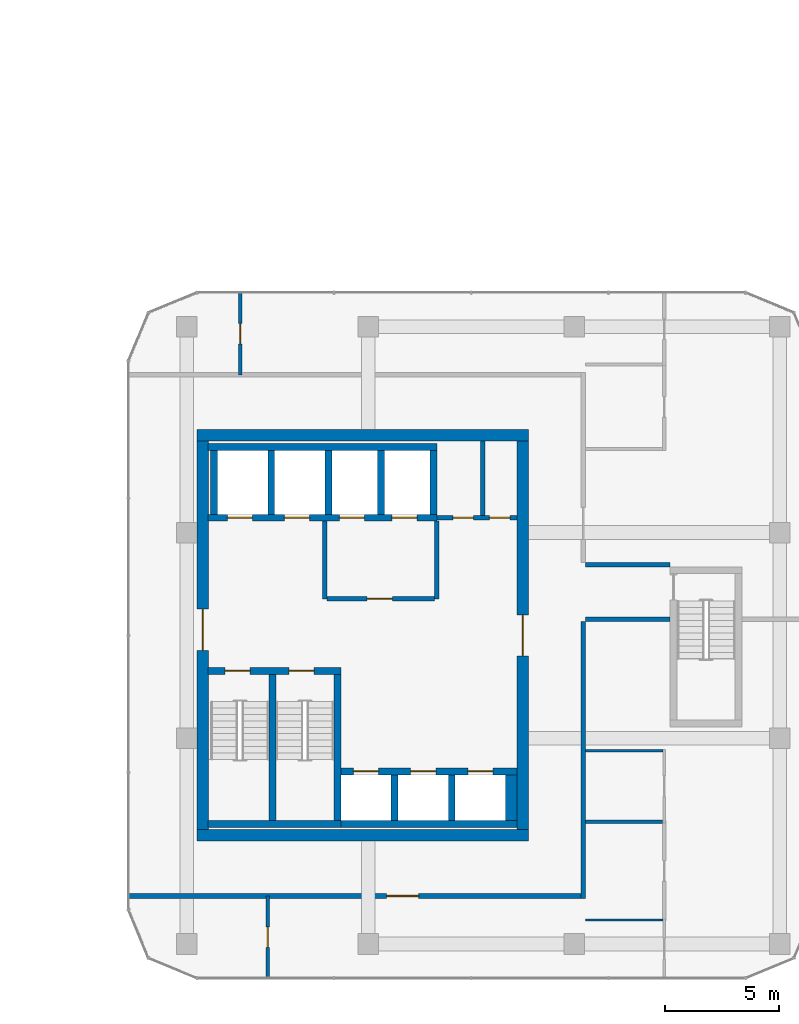
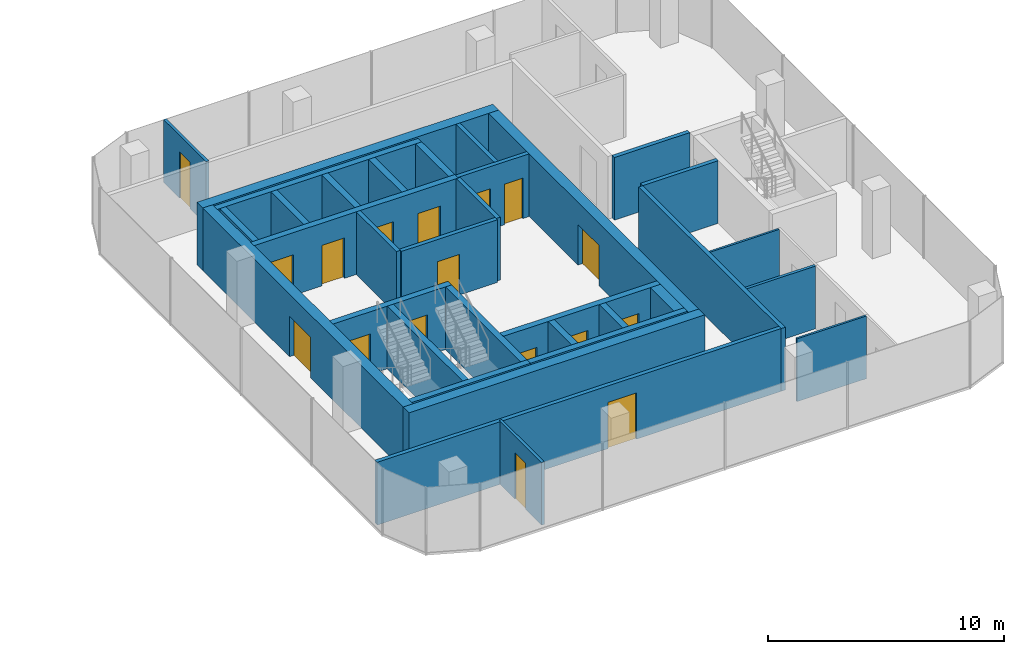
# One storey, part 17 of 22: 34 walls, 17 doors, 17 openings.
"""IFC4 building model written with IfcOpenShell, lengths in metres."""

from ifc_helpers import new_model, si_unit, direction, frame, frame_2d, origin, place, context, subcontext, project, spatial, rectangle, extrude, material, layer, layer_set, type_object, element, fill, save


model = new_model("IFC4")

# Units and contexts
model_context = context("Model", 3, precision=1e-05, world=origin(), true_north=direction((0.0, 1.0)))
body_context = subcontext(model_context, "Body", "Model", "MODEL_VIEW")
ifc_project = project(units=[si_unit("LENGTHUNIT", "METRE"), si_unit("AREAUNIT", "SQUARE_METRE"), si_unit("VOLUMEUNIT", "CUBIC_METRE"), si_unit("PLANEANGLEUNIT", "RADIAN"), si_unit("MASSUNIT", "GRAM", prefix="KILO")], contexts=[model_context])

# Site, building, storey
site_placement = place(None, origin())
site = spatial("IfcSite", under=ifc_project, at=site_placement, CompositionType="ELEMENT")
building_placement = place(site_placement, origin())
building = spatial("IfcBuilding", under=site, at=building_placement, Name="Plateau Cross Towers", CompositionType="ELEMENT")
storey_placement = place(building_placement, frame((0.0, 0.0, 58.300048828125)))
storey = spatial("IfcBuildingStorey", under=building, at=storey_placement, Name="L14", CompositionType="ELEMENT", Elevation=58.300048828125)

# Wall
ifc_material_1 = material(Name="Concrete block, plastered both sides", Category="concrete")
ifc_layer_1 = layer(ifc_material_1, 0.199951171875)
ifc_layer_set_1 = layer_set([ifc_layer_1], Name="Concrete block, plastered both sides")
wall_type_1 = type_object("IfcWallType", Name="Core partition 200", PredefinedType="PARTITIONING", material=ifc_layer_set_1)
wall_1_placement = place(storey_placement, frame((80.60009765625, 10.60009765625, 0.0), z_axis=(0.0, 0.0, 1.0), x_axis=(0.0, 1.0, 0.0)))
element("IfcWall", 1, at=wall_1_placement, inside=storey, type_object=wall_type_1, Name="Core partition", PredefinedType="PARTITIONING", context=body_context, shape_type="SweptSolid", body=[
    extrude(rectangle(XDim=3.39990234375, YDim=0.199951171875, at=frame_2d((1.699951171875, 0.0))), origin(), (0.0, 0.0, 1.0), 3.25),
])

# Wall, opening, door
wall_2_placement = place(storey_placement, frame((80.699951171875, 10.60009765625, 0.0), z_axis=(0.0, 0.0, 1.0), x_axis=(1.0, 0.0, 0.0)))
wall_2 = element("IfcWall", 2, at=wall_2_placement, inside=storey, type_object=wall_type_1, Name="Core partition", PredefinedType="PARTITIONING", context=body_context, shape_type="SweptSolid", body=[
    extrude(rectangle(XDim=4.699951171875, YDim=0.199951171875, at=frame_2d((2.35009765625, 0.0))), origin(), (0.0, 0.0, 1.0), 3.25),
])
opening_1_placement = place(wall_2_placement, frame((1.75, 0.0, 0.0)))
opening_1 = element("IfcOpeningElement", 3, at=opening_1_placement, cuts=wall_2, Name="Opening FFD", PredefinedType="OPENING", context=body_context, shape_type="SweptSolid", body=[
    extrude(rectangle(XDim=1.10009765625, YDim=2.10009765625, at=frame_2d((0.550048828125, 1.050048828125))), frame((0.0, 0.10986328125, 0.0), z_axis=(0.0, -1.0, 0.0), x_axis=(1.0, 0.0, 0.0)), (0.0, 0.0, 1.0), 0.219970703125),
])
ifc_material_2 = material(Name="Steel, fire-resisting leaf", Category="steel")
door_type_1 = type_object("IfcDoorType", Name="Firefighting lobby door 1100", OperationType="NOTDEFINED", PredefinedType="DOOR", material=ifc_material_2)
door_1_placement = place(opening_1_placement, origin())
door_1 = element("IfcDoor", 4, at=door_1_placement, inside=storey, type_object=door_type_1, Name="Firefighting lobby door FFD", OperationType="SINGLE_SWING_LEFT", OverallHeight=2.10009765625, OverallWidth=1.10009765625, PredefinedType="DOOR", context=body_context, shape_type="SweptSolid", body=[
    extrude(rectangle(XDim=1.10009765625, YDim=2.10009765625, at=frame_2d((0.550048828125, 1.050048828125))), frame((0.0, 0.02490234375, 0.0), z_axis=(0.0, -1.0, 0.0), x_axis=(1.0, 0.0, 0.0)), (0.0, 0.0, 1.0), 0.050048828125),
])
fill(opening_1, door_1)

# Wall
wall_3_placement = place(storey_placement, frame((85.5, 10.60009765625, 0.0), z_axis=(0.0, 0.0, 1.0), x_axis=(0.0, 1.0, 0.0)))
element("IfcWall", 5, at=wall_3_placement, inside=storey, type_object=wall_type_1, Name="Core partition", PredefinedType="PARTITIONING", context=body_context, shape_type="SweptSolid", body=[
    extrude(rectangle(XDim=3.39990234375, YDim=0.199951171875, at=frame_2d((1.699951171875, 0.0))), origin(), (0.0, 0.0, 1.0), 3.25),
])

# Wall, openings, doors
wall_4_placement = place(storey_placement, frame((85.5, 14.14990234375, 0.0), z_axis=(0.0, 0.0, 1.0), x_axis=(1.0, 0.0, 0.0)))
wall_4 = element("IfcWall", 6, at=wall_4_placement, inside=storey, type_object=wall_type_1, Name="Core partition", PredefinedType="PARTITIONING", context=body_context, shape_type="SweptSolid", body=[
    extrude(rectangle(XDim=3.5, YDim=0.199951171875, at=frame_2d((1.75, 0.0))), origin(), (0.0, 0.0, 1.0), 3.25),
])
opening_2_placement = place(wall_4_placement, frame((0.699951171875, 0.0, 0.0)))
opening_2 = element("IfcOpeningElement", 7, at=opening_2_placement, cuts=wall_4, Name="Opening RD2", PredefinedType="OPENING", context=body_context, shape_type="SweptSolid", body=[
    extrude(rectangle(XDim=0.89990234375, YDim=2.10009765625, at=frame_2d((0.449951171875, 1.050048828125))), frame((0.0, 0.10986328125, 0.0), z_axis=(0.0, -1.0, 0.0), x_axis=(1.0, 0.0, 0.0)), (0.0, 0.0, 1.0), 0.219970703125),
])
opening_3_placement = place(wall_4_placement, frame((2.300048828125, 0.0, 0.0)))
opening_3 = element("IfcOpeningElement", 8, at=opening_3_placement, cuts=wall_4, Name="Opening RD2", PredefinedType="OPENING", context=body_context, shape_type="SweptSolid", body=[
    extrude(rectangle(XDim=0.89990234375, YDim=2.10009765625, at=frame_2d((0.449951171875, 1.050048828125))), frame((0.0, 0.10986328125, 0.0), z_axis=(0.0, -1.0, 0.0), x_axis=(1.0, 0.0, 0.0)), (0.0, 0.0, 1.0), 0.219970703125),
])
door_type_2 = type_object("IfcDoorType", Name="Core riser door 900", OperationType="NOTDEFINED", PredefinedType="DOOR", material=ifc_material_2)
door_2_placement = place(opening_2_placement, origin())
door_2 = element("IfcDoor", 9, at=door_2_placement, inside=storey, type_object=door_type_2, Name="Core riser door RD2", OperationType="SINGLE_SWING_LEFT", OverallHeight=2.10009765625, OverallWidth=0.89990234375, PredefinedType="DOOR", context=body_context, shape_type="SweptSolid", body=[
    extrude(rectangle(XDim=0.89990234375, YDim=2.10009765625, at=frame_2d((0.449951171875, 1.050048828125))), frame((0.0, 0.02490234375, 0.0), z_axis=(0.0, -1.0, 0.0), x_axis=(1.0, 0.0, 0.0)), (0.0, 0.0, 1.0), 0.050048828125),
])
fill(opening_2, door_2)
door_3_placement = place(opening_3_placement, origin())
door_3 = element("IfcDoor", 10, at=door_3_placement, inside=storey, type_object=door_type_2, Name="Core riser door RD2", OperationType="SINGLE_SWING_LEFT", OverallHeight=2.10009765625, OverallWidth=0.89990234375, PredefinedType="DOOR", context=body_context, shape_type="SweptSolid", body=[
    extrude(rectangle(XDim=0.89990234375, YDim=2.10009765625, at=frame_2d((0.449951171875, 1.050048828125))), frame((0.0, 0.02490234375, 0.0), z_axis=(0.0, -1.0, 0.0), x_axis=(1.0, 0.0, 0.0)), (0.0, 0.0, 1.0), 0.050048828125),
])
fill(opening_3, door_3)

# Walls
wall_5_placement = place(storey_placement, frame((87.5, 14.25, 0.0), z_axis=(0.0, 0.0, 1.0), x_axis=(0.0, 1.0, 0.0)))
element("IfcWall", 11, at=wall_5_placement, inside=storey, type_object=wall_type_1, Name="Core partition", PredefinedType="PARTITIONING", context=body_context, shape_type="SweptSolid", body=[
    extrude(rectangle(XDim=3.25, YDim=0.199951171875, at=frame_2d((1.625, 0.0))), origin(), (0.0, 0.0, 1.0), 3.25),
])
ifc_material_3 = material(Name="Concrete C60/75", Category="concrete")
ifc_layer_2 = layer(ifc_material_3, 0.300048828125)
ifc_layer_set_2 = layer_set([ifc_layer_2], Name="Concrete C60/75")
wall_type_2 = type_object("IfcWallType", Name="Core shaft wall 300", PredefinedType="SHEAR", material=ifc_layer_set_2)
wall_6_placement = place(storey_placement, frame((75.47998046875, 0.75, 0.0), z_axis=(0.0, 0.0, 1.0), x_axis=(1.0, 0.0, 0.0)))
element("IfcWall", 12, at=wall_6_placement, inside=storey, type_object=wall_type_2, Name="B-sb-stS@L14", PredefinedType="SHEAR", context=body_context, shape_type="SweptSolid", body=[
    extrude(rectangle(XDim=5.820068359375, YDim=0.300048828125, at=frame_2d((2.91015625, 0.0))), origin(), (0.0, 0.0, 1.0), 3.25),
])

# Wall, openings, doors
wall_7_placement = place(storey_placement, frame((75.47998046875, 7.449951171875, 0.0), z_axis=(0.0, 0.0, 1.0), x_axis=(1.0, 0.0, 0.0)))
wall_7 = element("IfcWall", 13, at=wall_7_placement, inside=storey, type_object=wall_type_2, Name="B-sb-stN@L14", PredefinedType="SHEAR", context=body_context, shape_type="SweptSolid", body=[
    extrude(rectangle(XDim=5.820068359375, YDim=0.300048828125, at=frame_2d((2.91015625, 0.0))), origin(), (0.0, 0.0, 1.0), 3.25),
])
opening_4_placement = place(wall_7_placement, frame((0.75, 0.0, 0.0)))
opening_4 = element("IfcOpeningElement", 14, at=opening_4_placement, cuts=wall_7, Name="Opening SD", PredefinedType="OPENING", context=body_context, shape_type="SweptSolid", body=[
    extrude(rectangle(XDim=1.10009765625, YDim=2.10009765625, at=frame_2d((0.550048828125, 1.050048828125))), frame((0.0, 0.159912109375, 0.0), z_axis=(0.0, -1.0, 0.0), x_axis=(1.0, 0.0, 0.0)), (0.0, 0.0, 1.0), 0.320068359375),
])
opening_5_placement = place(wall_7_placement, frame((3.550048828125, 0.0, 0.0)))
opening_5 = element("IfcOpeningElement", 15, at=opening_5_placement, cuts=wall_7, Name="Opening SD", PredefinedType="OPENING", context=body_context, shape_type="SweptSolid", body=[
    extrude(rectangle(XDim=1.10009765625, YDim=2.10009765625, at=frame_2d((0.550048828125, 1.050048828125))), frame((0.0, 0.159912109375, 0.0), z_axis=(0.0, -1.0, 0.0), x_axis=(1.0, 0.0, 0.0)), (0.0, 0.0, 1.0), 0.320068359375),
])
door_type_3 = type_object("IfcDoorType", Name="Stair door 1100", OperationType="NOTDEFINED", PredefinedType="DOOR", material=ifc_material_2)
door_4_placement = place(opening_4_placement, origin())
door_4 = element("IfcDoor", 16, at=door_4_placement, inside=storey, type_object=door_type_3, Name="Stair door SD", OperationType="SINGLE_SWING_RIGHT", OverallHeight=2.10009765625, OverallWidth=1.10009765625, PredefinedType="DOOR", context=body_context, shape_type="SweptSolid", body=[
    extrude(rectangle(XDim=1.10009765625, YDim=2.10009765625, at=frame_2d((0.550048828125, 1.050048828125))), frame((0.0, 0.02490234375, 0.0), z_axis=(0.0, -1.0, 0.0), x_axis=(1.0, 0.0, 0.0)), (0.0, 0.0, 1.0), 0.050048828125),
])
fill(opening_4, door_4)
door_5_placement = place(opening_5_placement, origin())
door_5 = element("IfcDoor", 17, at=door_5_placement, inside=storey, type_object=door_type_3, Name="Stair door SD", OperationType="SINGLE_SWING_LEFT", OverallHeight=2.10009765625, OverallWidth=1.10009765625, PredefinedType="DOOR", context=body_context, shape_type="SweptSolid", body=[
    extrude(rectangle(XDim=1.10009765625, YDim=2.10009765625, at=frame_2d((0.550048828125, 1.050048828125))), frame((0.0, 0.02490234375, 0.0), z_axis=(0.0, -1.0, 0.0), x_axis=(1.0, 0.0, 0.0)), (0.0, 0.0, 1.0), 0.050048828125),
])
fill(opening_5, door_5)

# Walls
for number, where, z_axis, x_axis, name in (
    (18, (78.300048828125, 0.89990234375, 0.0), (0.0, 0.0, 1.0), (0.0, 1.0, 0.0), "B-sb-st1@L14"),
    (19, (81.14990234375, 0.89990234375, 0.0), (0.0, 0.0, 1.0), (0.0, 1.0, 0.0), "B-sb-st2@L14"),
):
    element("IfcWall", number, at=place(storey_placement, frame(where, z_axis=z_axis, x_axis=x_axis)), inside=storey, type_object=wall_type_2, Name=name, PredefinedType="SHEAR", context=body_context, shape_type="SweptSolid", body=[
        extrude(rectangle(XDim=6.400146484375, YDim=0.300048828125, at=frame_2d((3.2001953125, 0.0))), origin(), (0.0, 0.0, 1.0), 3.25),
    ])
wall_8_placement = place(storey_placement, frame((81.300048828125, 0.75, 0.0), z_axis=(0.0, 0.0, 1.0), x_axis=(1.0, 0.0, 0.0)))
element("IfcWall", 20, at=wall_8_placement, inside=storey, type_object=wall_type_2, Name="B-sb-back@L14", PredefinedType="SHEAR", context=body_context, shape_type="SweptSolid", body=[
    extrude(rectangle(XDim=7.699951171875, YDim=0.300048828125, at=frame_2d((3.85009765625, 0.0))), origin(), (0.0, 0.0, 1.0), 3.25),
])
for number, where, z_axis, x_axis, name in (
    (21, (83.64990234375, 0.89990234375, 0.0), (0.0, 0.0, 1.0), (0.0, 1.0, 0.0), "B-sb-v1@L14"),
    (22, (86.14990234375, 0.89990234375, 0.0), (0.0, 0.0, 1.0), (0.0, 1.0, 0.0), "B-sb-v2@L14"),
):
    element("IfcWall", number, at=place(storey_placement, frame(where, z_axis=z_axis, x_axis=x_axis)), inside=storey, type_object=wall_type_2, Name=name, PredefinedType="SHEAR", context=body_context, shape_type="SweptSolid", body=[
        extrude(rectangle(XDim=2.0, YDim=0.300048828125, at=frame_2d((1.0, 0.0))), origin(), (0.0, 0.0, 1.0), 3.25),
    ])

# Wall, openings, doors
wall_9_placement = place(storey_placement, frame((81.300048828125, 3.050048828125, 0.0), z_axis=(0.0, 0.0, 1.0), x_axis=(1.0, 0.0, 0.0)))
wall_9 = element("IfcWall", 23, at=wall_9_placement, inside=storey, type_object=wall_type_2, Name="B-sb-front@L14", PredefinedType="SHEAR", context=body_context, shape_type="SweptSolid", body=[
    extrude(rectangle(XDim=7.699951171875, YDim=0.300048828125, at=frame_2d((3.85009765625, 0.0))), origin(), (0.0, 0.0, 1.0), 3.25),
])
opening_6_placement = place(wall_9_placement, frame((0.550048828125, 0.0, 0.0)))
opening_6 = element("IfcOpeningElement", 24, at=opening_6_placement, cuts=wall_9, Name="Opening LD", PredefinedType="OPENING", context=body_context, shape_type="SweptSolid", body=[
    extrude(rectangle(XDim=1.10009765625, YDim=2.10009765625, at=frame_2d((0.550048828125, 1.050048828125))), frame((0.0, 0.159912109375, 0.0), z_axis=(0.0, -1.0, 0.0), x_axis=(1.0, 0.0, 0.0)), (0.0, 0.0, 1.0), 0.320068359375),
])
opening_7_placement = place(wall_9_placement, frame((3.050048828125, 0.0, 0.0)))
opening_7 = element("IfcOpeningElement", 25, at=opening_7_placement, cuts=wall_9, Name="Opening LD", PredefinedType="OPENING", context=body_context, shape_type="SweptSolid", body=[
    extrude(rectangle(XDim=1.10009765625, YDim=2.10009765625, at=frame_2d((0.550048828125, 1.050048828125))), frame((0.0, 0.159912109375, 0.0), z_axis=(0.0, -1.0, 0.0), x_axis=(1.0, 0.0, 0.0)), (0.0, 0.0, 1.0), 0.320068359375),
])
opening_8_placement = place(wall_9_placement, frame((5.550048828125, 0.0, 0.0)))
opening_8 = element("IfcOpeningElement", 26, at=opening_8_placement, cuts=wall_9, Name="Opening LD", PredefinedType="OPENING", context=body_context, shape_type="SweptSolid", body=[
    extrude(rectangle(XDim=1.10009765625, YDim=2.10009765625, at=frame_2d((0.550048828125, 1.050048828125))), frame((0.0, 0.159912109375, 0.0), z_axis=(0.0, -1.0, 0.0), x_axis=(1.0, 0.0, 0.0)), (0.0, 0.0, 1.0), 0.320068359375),
])
ifc_material_4 = material(Name="Stainless steel, fire-resisting sliding leaves", Category="steel")
door_type_4 = type_object("IfcDoorType", Name="Lift landing door 1100", OperationType="NOTDEFINED", PredefinedType="DOOR", material=ifc_material_4)
door_6_placement = place(opening_6_placement, origin())
door_6 = element("IfcDoor", 27, at=door_6_placement, inside=storey, type_object=door_type_4, Name="Lift landing door LD", OperationType="DOUBLE_DOOR_SLIDING", OverallHeight=2.10009765625, OverallWidth=1.10009765625, PredefinedType="DOOR", context=body_context, shape_type="SweptSolid", body=[
    extrude(rectangle(XDim=1.10009765625, YDim=2.10009765625, at=frame_2d((0.550048828125, 1.050048828125))), frame((0.0, 0.02490234375, 0.0), z_axis=(0.0, -1.0, 0.0), x_axis=(1.0, 0.0, 0.0)), (0.0, 0.0, 1.0), 0.050048828125),
])
fill(opening_6, door_6)
door_7_placement = place(opening_7_placement, origin())
door_7 = element("IfcDoor", 28, at=door_7_placement, inside=storey, type_object=door_type_4, Name="Lift landing door LD", OperationType="DOUBLE_DOOR_SLIDING", OverallHeight=2.10009765625, OverallWidth=1.10009765625, PredefinedType="DOOR", context=body_context, shape_type="SweptSolid", body=[
    extrude(rectangle(XDim=1.10009765625, YDim=2.10009765625, at=frame_2d((0.550048828125, 1.050048828125))), frame((0.0, 0.02490234375, 0.0), z_axis=(0.0, -1.0, 0.0), x_axis=(1.0, 0.0, 0.0)), (0.0, 0.0, 1.0), 0.050048828125),
])
fill(opening_7, door_7)
door_8_placement = place(opening_8_placement, origin())
door_8 = element("IfcDoor", 29, at=door_8_placement, inside=storey, type_object=door_type_4, Name="Lift landing door LD", OperationType="DOUBLE_DOOR_SLIDING", OverallHeight=2.10009765625, OverallWidth=1.10009765625, PredefinedType="DOOR", context=body_context, shape_type="SweptSolid", body=[
    extrude(rectangle(XDim=1.10009765625, YDim=2.10009765625, at=frame_2d((0.550048828125, 1.050048828125))), frame((0.0, 0.02490234375, 0.0), z_axis=(0.0, -1.0, 0.0), x_axis=(1.0, 0.0, 0.0)), (0.0, 0.0, 1.0), 0.050048828125),
])
fill(opening_8, door_8)

# Wall
wall_10_placement = place(storey_placement, frame((75.47998046875, 17.25, 0.0), z_axis=(0.0, 0.0, 1.0), x_axis=(1.0, 0.0, 0.0)))
element("IfcWall", 30, at=wall_10_placement, inside=storey, type_object=wall_type_2, Name="B-nb-back@L14", PredefinedType="SHEAR", context=body_context, shape_type="SweptSolid", body=[
    extrude(rectangle(XDim=10.02001953125, YDim=0.300048828125, at=frame_2d((5.010009765625, 0.0))), origin(), (0.0, 0.0, 1.0), 3.25),
])

# Wall, openings, doors
wall_11_placement = place(storey_placement, frame((75.47998046875, 14.14990234375, 0.0), z_axis=(0.0, 0.0, 1.0), x_axis=(1.0, 0.0, 0.0)))
wall_11 = element("IfcWall", 31, at=wall_11_placement, inside=storey, type_object=wall_type_2, Name="B-nb-front@L14", PredefinedType="SHEAR", context=body_context, shape_type="SweptSolid", body=[
    extrude(rectangle(XDim=10.02001953125, YDim=0.300048828125, at=frame_2d((5.010009765625, 0.0))), origin(), (0.0, 0.0, 1.0), 3.25),
])
opening_9_placement = place(wall_11_placement, frame((0.85009765625, 0.0, 0.0)))
opening_9 = element("IfcOpeningElement", 32, at=opening_9_placement, cuts=wall_11, Name="Opening LD", PredefinedType="OPENING", context=body_context, shape_type="SweptSolid", body=[
    extrude(rectangle(XDim=1.10009765625, YDim=2.10009765625, at=frame_2d((0.550048828125, 1.050048828125))), frame((0.0, 0.159912109375, 0.0), z_axis=(0.0, -1.0, 0.0), x_axis=(1.0, 0.0, 0.0)), (0.0, 0.0, 1.0), 0.320068359375),
])
opening_10_placement = place(wall_11_placement, frame((3.35009765625, 0.0, 0.0)))
opening_10 = element("IfcOpeningElement", 33, at=opening_10_placement, cuts=wall_11, Name="Opening LD", PredefinedType="OPENING", context=body_context, shape_type="SweptSolid", body=[
    extrude(rectangle(XDim=1.10009765625, YDim=2.10009765625, at=frame_2d((0.550048828125, 1.050048828125))), frame((0.0, 0.159912109375, 0.0), z_axis=(0.0, -1.0, 0.0), x_axis=(1.0, 0.0, 0.0)), (0.0, 0.0, 1.0), 0.320068359375),
])
opening_11_placement = place(wall_11_placement, frame((5.75, 0.0, 0.0)))
opening_11 = element("IfcOpeningElement", 34, at=opening_11_placement, cuts=wall_11, Name="Opening LD", PredefinedType="OPENING", context=body_context, shape_type="SweptSolid", body=[
    extrude(rectangle(XDim=1.10009765625, YDim=2.10009765625, at=frame_2d((0.550048828125, 1.050048828125))), frame((0.0, 0.159912109375, 0.0), z_axis=(0.0, -1.0, 0.0), x_axis=(1.0, 0.0, 0.0)), (0.0, 0.0, 1.0), 0.320068359375),
])
opening_12_placement = place(wall_11_placement, frame((8.050048828125, 0.0, 0.0)))
opening_12 = element("IfcOpeningElement", 35, at=opening_12_placement, cuts=wall_11, Name="Opening LD", PredefinedType="OPENING", context=body_context, shape_type="SweptSolid", body=[
    extrude(rectangle(XDim=1.10009765625, YDim=2.10009765625, at=frame_2d((0.550048828125, 1.050048828125))), frame((0.0, 0.159912109375, 0.0), z_axis=(0.0, -1.0, 0.0), x_axis=(1.0, 0.0, 0.0)), (0.0, 0.0, 1.0), 0.320068359375),
])
door_9_placement = place(opening_9_placement, origin())
door_9 = element("IfcDoor", 36, at=door_9_placement, inside=storey, type_object=door_type_4, Name="Lift landing door LD", OperationType="DOUBLE_DOOR_SLIDING", OverallHeight=2.10009765625, OverallWidth=1.10009765625, PredefinedType="DOOR", context=body_context, shape_type="SweptSolid", body=[
    extrude(rectangle(XDim=1.10009765625, YDim=2.10009765625, at=frame_2d((0.550048828125, 1.050048828125))), frame((0.0, 0.02490234375, 0.0), z_axis=(0.0, -1.0, 0.0), x_axis=(1.0, 0.0, 0.0)), (0.0, 0.0, 1.0), 0.050048828125),
])
fill(opening_9, door_9)
door_10_placement = place(opening_10_placement, origin())
door_10 = element("IfcDoor", 37, at=door_10_placement, inside=storey, type_object=door_type_4, Name="Lift landing door LD", OperationType="DOUBLE_DOOR_SLIDING", OverallHeight=2.10009765625, OverallWidth=1.10009765625, PredefinedType="DOOR", context=body_context, shape_type="SweptSolid", body=[
    extrude(rectangle(XDim=1.10009765625, YDim=2.10009765625, at=frame_2d((0.550048828125, 1.050048828125))), frame((0.0, 0.02490234375, 0.0), z_axis=(0.0, -1.0, 0.0), x_axis=(1.0, 0.0, 0.0)), (0.0, 0.0, 1.0), 0.050048828125),
])
fill(opening_10, door_10)
door_11_placement = place(opening_11_placement, origin())
door_11 = element("IfcDoor", 38, at=door_11_placement, inside=storey, type_object=door_type_4, Name="Lift landing door LD", OperationType="DOUBLE_DOOR_SLIDING", OverallHeight=2.10009765625, OverallWidth=1.10009765625, PredefinedType="DOOR", context=body_context, shape_type="SweptSolid", body=[
    extrude(rectangle(XDim=1.10009765625, YDim=2.10009765625, at=frame_2d((0.550048828125, 1.050048828125))), frame((0.0, 0.02490234375, 0.0), z_axis=(0.0, -1.0, 0.0), x_axis=(1.0, 0.0, 0.0)), (0.0, 0.0, 1.0), 0.050048828125),
])
fill(opening_11, door_11)
door_12_placement = place(opening_12_placement, origin())
door_12 = element("IfcDoor", 39, at=door_12_placement, inside=storey, type_object=door_type_4, Name="Lift landing door LD", OperationType="DOUBLE_DOOR_SLIDING", OverallHeight=2.10009765625, OverallWidth=1.10009765625, PredefinedType="DOOR", context=body_context, shape_type="SweptSolid", body=[
    extrude(rectangle(XDim=1.10009765625, YDim=2.10009765625, at=frame_2d((0.550048828125, 1.050048828125))), frame((0.0, 0.02490234375, 0.0), z_axis=(0.0, -1.0, 0.0), x_axis=(1.0, 0.0, 0.0)), (0.0, 0.0, 1.0), 0.050048828125),
])
fill(opening_12, door_12)

# Walls
for number, where, z_axis, x_axis, name in (
    (40, (75.75, 14.300048828125, 0.0), (0.0, 0.0, 1.0), (0.0, 1.0, 0.0), "B-nb-v0@L14"),
    (41, (78.25, 14.300048828125, 0.0), (0.0, 0.0, 1.0), (0.0, 1.0, 0.0), "B-nb-v1@L14"),
    (42, (80.75, 14.300048828125, 0.0), (0.0, 0.0, 1.0), (0.0, 1.0, 0.0), "B-nb-v2@L14"),
    (43, (83.050048828125, 14.300048828125, 0.0), (0.0, 0.0, 1.0), (0.0, 1.0, 0.0), "B-nb-v3@L14"),
    (44, (85.35009765625, 14.300048828125, 0.0), (0.0, 0.0, 1.0), (0.0, 1.0, 0.0), "B-nb-v4@L14"),
):
    element("IfcWall", number, at=place(storey_placement, frame(where, z_axis=z_axis, x_axis=x_axis)), inside=storey, type_object=wall_type_2, Name=name, PredefinedType="SHEAR", context=body_context, shape_type="SweptSolid", body=[
        extrude(rectangle(XDim=2.800048828125, YDim=0.300048828125, at=frame_2d((1.39990234375, 0.0))), origin(), (0.0, 0.0, 1.0), 3.25),
    ])
ifc_layer_3 = layer(ifc_material_3, 0.5)
ifc_layer_set_3 = layer_set([ifc_layer_3], Name="Concrete C60/75")
wall_type_3 = type_object("IfcWallType", Name="Core shaft wall 500", PredefinedType="SHEAR", material=ifc_layer_set_3)
wall_12_placement = place(storey_placement, frame((88.75, 0.89990234375, 0.0), z_axis=(0.0, 0.0, 1.0), x_axis=(0.0, 1.0, 0.0)))
element("IfcWall", 45, at=wall_12_placement, inside=storey, type_object=wall_type_3, Name="B-sb-v3@L14", PredefinedType="SHEAR", context=body_context, shape_type="SweptSolid", body=[
    extrude(rectangle(XDim=2.0, YDim=0.5, at=frame_2d((1.0, 0.0))), origin(), (0.0, 0.0, 1.0), 3.25),
])
ifc_layer_4 = layer(ifc_material_3, 0.5)
ifc_layer_set_4 = layer_set([ifc_layer_4], Name="Concrete C60/75")
wall_type_4 = type_object("IfcWallType", Name="Core shell wall 500", PredefinedType="SHEAR", material=ifc_layer_set_4)
for number, where, z_axis, x_axis, name in (
    (46, (75.0, 0.25, 0.0), (0.0, 0.0, 1.0), (1.0, 0.0, 0.0), "B-core-S@L14"),
    (47, (75.0, 17.75, 0.0), (0.0, 0.0, 1.0), (1.0, 0.0, 0.0), "B-core-N@L14"),
):
    element("IfcWall", number, at=place(storey_placement, frame(where, z_axis=z_axis, x_axis=x_axis)), inside=storey, type_object=wall_type_4, Name=name, PredefinedType="SHEAR", context=body_context, shape_type="SweptSolid", body=[
        extrude(rectangle(XDim=14.5, YDim=0.5, at=frame_2d((7.25, 0.0))), origin(), (0.0, 0.0, 1.0), 3.25),
    ])

# Wall, opening, door
wall_13_placement = place(storey_placement, frame((75.25, 0.5, 0.0), z_axis=(0.0, 0.0, 1.0), x_axis=(0.0, 1.0, 0.0)))
wall_13 = element("IfcWall", 48, at=wall_13_placement, inside=storey, type_object=wall_type_4, Name="B-core-W@L14", PredefinedType="SHEAR", context=body_context, shape_type="SweptSolid", body=[
    extrude(rectangle(XDim=17.0, YDim=0.5, at=frame_2d((8.5, 0.0))), origin(), (0.0, 0.0, 1.0), 3.25),
])
opening_13_placement = place(wall_13_placement, frame((7.85009765625, 0.0, 0.0)))
opening_13 = element("IfcOpeningElement", 49, at=opening_13_placement, cuts=wall_13, Name="Opening CD", PredefinedType="OPENING", context=body_context, shape_type="SweptSolid", body=[
    extrude(rectangle(XDim=1.800048828125, YDim=2.10009765625, at=frame_2d((0.89990234375, 1.050048828125))), frame((0.0, 0.260009765625, 0.0), z_axis=(0.0, -1.0, 0.0), x_axis=(1.0, 0.0, 0.0)), (0.0, 0.0, 1.0), 0.52001953125),
])
ifc_material_5 = material(Name="Steel, fire-resisting leaves", Category="steel")
door_type_5 = type_object("IfcDoorType", Name="Corridor door pair 1800", OperationType="NOTDEFINED", PredefinedType="DOOR", material=ifc_material_5)
door_13_placement = place(opening_13_placement, origin())
door_13 = element("IfcDoor", 50, at=door_13_placement, inside=storey, type_object=door_type_5, Name="Corridor door pair CD", OperationType="DOUBLE_DOOR_SINGLE_SWING", OverallHeight=2.10009765625, OverallWidth=1.800048828125, PredefinedType="DOOR", context=body_context, shape_type="SweptSolid", body=[
    extrude(rectangle(XDim=1.800048828125, YDim=2.10009765625, at=frame_2d((0.89990234375, 1.050048828125))), frame((0.0, 0.02490234375, 0.0), z_axis=(0.0, -1.0, 0.0), x_axis=(1.0, 0.0, 0.0)), (0.0, 0.0, 1.0), 0.050048828125),
])
fill(opening_13, door_13)

wall_14_placement = place(storey_placement, frame((89.25, 0.5, 0.0), z_axis=(0.0, 0.0, 1.0), x_axis=(0.0, 1.0, 0.0)))
wall_14 = element("IfcWall", 51, at=wall_14_placement, inside=storey, type_object=wall_type_4, Name="B-core-E@L14", PredefinedType="SHEAR", context=body_context, shape_type="SweptSolid", body=[
    extrude(rectangle(XDim=17.0, YDim=0.5, at=frame_2d((8.5, 0.0))), origin(), (0.0, 0.0, 1.0), 3.25),
])
opening_14_placement = place(wall_14_placement, frame((7.60009765625, 0.0, 0.0)))
opening_14 = element("IfcOpeningElement", 52, at=opening_14_placement, cuts=wall_14, Name="Opening CD", PredefinedType="OPENING", context=body_context, shape_type="SweptSolid", body=[
    extrude(rectangle(XDim=1.800048828125, YDim=2.10009765625, at=frame_2d((0.89990234375, 1.050048828125))), frame((0.0, 0.260009765625, 0.0), z_axis=(0.0, -1.0, 0.0), x_axis=(1.0, 0.0, 0.0)), (0.0, 0.0, 1.0), 0.52001953125),
])
door_14_placement = place(opening_14_placement, origin())
door_14 = element("IfcDoor", 53, at=door_14_placement, inside=storey, type_object=door_type_5, Name="Corridor door pair CD", OperationType="DOUBLE_DOOR_SINGLE_SWING", OverallHeight=2.10009765625, OverallWidth=1.800048828125, PredefinedType="DOOR", context=body_context, shape_type="SweptSolid", body=[
    extrude(rectangle(XDim=1.800048828125, YDim=2.10009765625, at=frame_2d((0.89990234375, 1.050048828125))), frame((0.0, 0.02490234375, 0.0), z_axis=(0.0, -1.0, 0.0), x_axis=(1.0, 0.0, 0.0)), (0.0, 0.0, 1.0), 0.050048828125),
])
fill(opening_14, door_14)

ifc_material_6 = material(Name="Gypsum board on steel studs, two layers each side", Category="steel")
ifc_layer_5 = layer(ifc_material_6, 0.199951171875)
ifc_layer_set_5 = layer_set([ifc_layer_5], Name="Gypsum board on steel studs, two layers each side")
wall_type_5 = type_object("IfcWallType", Name="Corridor wall 200", PredefinedType="PARTITIONING", material=ifc_layer_set_5)
wall_15_placement = place(storey_placement, frame((72.0, -2.39990234375, 0.0), z_axis=(0.0, 0.0, 1.0), x_axis=(1.0, 0.0, 0.0)))
wall_15 = element("IfcWall", 54, at=wall_15_placement, inside=storey, type_object=wall_type_5, Name="Ring wall", PredefinedType="PARTITIONING", context=body_context, shape_type="SweptSolid", body=[
    extrude(rectangle(XDim=20.0, YDim=0.199951171875, at=frame_2d((10.0, 0.0))), origin(), (0.0, 0.0, 1.0), 3.25),
])
opening_15_placement = place(wall_15_placement, frame((11.300048828125, 0.0, 0.0)))
opening_15 = element("IfcOpeningElement", 55, at=opening_15_placement, cuts=wall_15, Name="Opening D-BE14", PredefinedType="OPENING", context=body_context, shape_type="SweptSolid", body=[
    extrude(rectangle(XDim=1.39990234375, YDim=2.39990234375, at=frame_2d((0.699951171875, 1.199951171875))), frame((0.0, 0.10986328125, 0.0), z_axis=(0.0, -1.0, 0.0), x_axis=(1.0, 0.0, 0.0)), (0.0, 0.0, 1.0), 0.219970703125),
])
ifc_material_7 = material(Name="Timber, fire-resisting leaves", Category="wood")
door_type_6 = type_object("IfcDoorType", Name="Tenant entrance double-leaf 1400x2400", OperationType="NOTDEFINED", PredefinedType="DOOR", material=ifc_material_7)
door_15_placement = place(opening_15_placement, origin())
door_15 = element("IfcDoor", 56, at=door_15_placement, inside=storey, type_object=door_type_6, Name="Door D-BE14", OperationType="DOUBLE_DOOR_SINGLE_SWING", OverallHeight=2.39990234375, OverallWidth=1.39990234375, PredefinedType="DOOR", context=body_context, shape_type="SweptSolid", body=[
    extrude(rectangle(XDim=1.39990234375, YDim=2.39990234375, at=frame_2d((0.699951171875, 1.199951171875))), frame((0.0, 0.02490234375, 0.0), z_axis=(0.0, -1.0, 0.0), x_axis=(1.0, 0.0, 0.0)), (0.0, 0.0, 1.0), 0.050048828125),
])
fill(opening_15, door_15)

# Walls
wall_16_placement = place(storey_placement, frame((91.89990234375, -2.5, 0.0), z_axis=(0.0, 0.0, 1.0), x_axis=(0.0, 1.0, 0.0)))
element("IfcWall", 57, at=wall_16_placement, inside=storey, type_object=wall_type_5, Name="Ring wall", PredefinedType="PARTITIONING", context=body_context, shape_type="SweptSolid", body=[
    extrude(rectangle(XDim=12.10009765625, YDim=0.199951171875, at=frame_2d((6.050048828125, 0.0))), origin(), (0.0, 0.0, 1.0), 3.25),
])
for number, where, z_axis, x_axis, name in (
    (58, (92.0, 9.699951171875, 0.0), (0.0, 0.0, 1.0), (1.0, 0.0, 0.0), "Ring wall"),
    (59, (92.0, 12.10009765625, 0.0), (0.0, 0.0, 1.0), (1.0, 0.0, 0.0), "Ring wall"),
):
    element("IfcWall", number, at=place(storey_placement, frame(where, z_axis=z_axis, x_axis=x_axis)), inside=storey, type_object=wall_type_5, Name=name, PredefinedType="PARTITIONING", context=body_context, shape_type="SweptSolid", body=[
        extrude(rectangle(XDim=3.699951171875, YDim=0.199951171875, at=frame_2d((1.85009765625, 0.0))), origin(), (0.0, 0.0, 1.0), 3.25),
    ])

# Wall, opening, door
ifc_material_8 = material(Name="Gypsum board on staggered steel studs, mineral wool, two layers each side", Category="steel")
ifc_layer_6 = layer(ifc_material_8, 0.139892578125)
ifc_layer_set_6 = layer_set([ifc_layer_6], Name="Gypsum board on staggered steel studs, mineral wool, two layers each side")
wall_type_6 = type_object("IfcWallType", Name="Meeting room acoustic partition 140", PredefinedType="PARTITIONING", material=ifc_layer_set_6)
wall_17_placement = place(storey_placement, frame((78.10009765625, -6.0, 0.0), z_axis=(0.0, 0.0, 1.0), x_axis=(0.0, 1.0, 0.0)))
wall_17 = element("IfcWall", 60, at=wall_17_placement, inside=storey, type_object=wall_type_6, Name="Acoustic wall", PredefinedType="PARTITIONING", context=body_context, shape_type="SweptSolid", body=[
    extrude(rectangle(XDim=3.60009765625, YDim=0.139892578125, at=frame_2d((1.800048828125, 0.0))), origin(), (0.0, 0.0, 1.0), 3.25),
])
opening_16_placement = place(wall_17_placement, frame((1.35009765625, 0.0, 0.0)))
opening_16 = element("IfcOpeningElement", 61, at=opening_16_placement, cuts=wall_17, Name="Opening D-BM9", PredefinedType="OPENING", context=body_context, shape_type="SweptSolid", body=[
    extrude(rectangle(XDim=0.89990234375, YDim=2.39990234375, at=frame_2d((0.449951171875, 1.199951171875))), frame((0.0, 0.079833984375, 0.0), z_axis=(0.0, -1.0, 0.0), x_axis=(1.0, 0.0, 0.0)), (0.0, 0.0, 1.0), 0.159912109375),
])
ifc_material_9 = material(Name="Timber leaf, full height", Category="wood")
door_type_7 = type_object("IfcDoorType", Name="Meeting room door 900x2400", OperationType="NOTDEFINED", PredefinedType="DOOR", material=ifc_material_9)
door_16_placement = place(opening_16_placement, origin())
door_16 = element("IfcDoor", 62, at=door_16_placement, inside=storey, type_object=door_type_7, Name="Door D-BM9", OperationType="SINGLE_SWING_LEFT", OverallHeight=2.39990234375, OverallWidth=0.89990234375, PredefinedType="DOOR", context=body_context, shape_type="SweptSolid", body=[
    extrude(rectangle(XDim=0.89990234375, YDim=2.39990234375, at=frame_2d((0.449951171875, 1.199951171875))), frame((0.0, 0.02490234375, 0.0), z_axis=(0.0, -1.0, 0.0), x_axis=(1.0, 0.0, 0.0)), (0.0, 0.0, 1.0), 0.050048828125),
])
fill(opening_16, door_16)

# Wall
wall_18_placement = place(storey_placement, frame((92.0, 0.85009765625, 0.0), z_axis=(0.0, 0.0, 1.0), x_axis=(1.0, 0.0, 0.0)))
element("IfcWall", 63, at=wall_18_placement, inside=storey, type_object=wall_type_6, Name="Acoustic wall", PredefinedType="PARTITIONING", context=body_context, shape_type="SweptSolid", body=[
    extrude(rectangle(XDim=3.3798828125, YDim=0.139892578125, at=frame_2d((1.68994140625, 0.0))), origin(), (0.0, 0.0, 1.0), 3.25),
])

# Wall, opening, door
wall_19_placement = place(storey_placement, frame((76.89990234375, 20.39990234375, 0.0), z_axis=(0.0, 0.0, 1.0), x_axis=(0.0, 1.0, 0.0)))
wall_19 = element("IfcWall", 64, at=wall_19_placement, inside=storey, type_object=wall_type_6, Name="Acoustic wall", PredefinedType="PARTITIONING", context=body_context, shape_type="SweptSolid", body=[
    extrude(rectangle(XDim=3.60009765625, YDim=0.139892578125, at=frame_2d((1.800048828125, 0.0))), origin(), (0.0, 0.0, 1.0), 3.25),
])
opening_17_placement = place(wall_19_placement, frame((1.35009765625, 0.0, 0.0)))
opening_17 = element("IfcOpeningElement", 65, at=opening_17_placement, cuts=wall_19, Name="Opening D-BM9", PredefinedType="OPENING", context=body_context, shape_type="SweptSolid", body=[
    extrude(rectangle(XDim=0.89990234375, YDim=2.39990234375, at=frame_2d((0.449951171875, 1.199951171875))), frame((0.0, 0.079833984375, 0.0), z_axis=(0.0, -1.0, 0.0), x_axis=(1.0, 0.0, 0.0)), (0.0, 0.0, 1.0), 0.159912109375),
])
door_17_placement = place(opening_17_placement, origin())
door_17 = element("IfcDoor", 66, at=door_17_placement, inside=storey, type_object=door_type_7, Name="Door D-BM9", OperationType="SINGLE_SWING_LEFT", OverallHeight=2.39990234375, OverallWidth=0.89990234375, PredefinedType="DOOR", context=body_context, shape_type="SweptSolid", body=[
    extrude(rectangle(XDim=0.89990234375, YDim=2.39990234375, at=frame_2d((0.449951171875, 1.199951171875))), frame((0.0, 0.02490234375, 0.0), z_axis=(0.0, -1.0, 0.0), x_axis=(1.0, 0.0, 0.0)), (0.0, 0.0, 1.0), 0.050048828125),
])
fill(opening_17, door_17)

# Walls
ifc_material_10 = material(Name="Gypsum board on steel studs", Category="steel")
ifc_layer_7 = layer(ifc_material_10, 0.10009765625)
ifc_layer_set_7 = layer_set([ifc_layer_7], Name="Gypsum board on steel studs")
wall_type_7 = type_object("IfcWallType", Name="Office partition 100", PredefinedType="PARTITIONING", material=ifc_layer_set_7)
for number, where, z_axis, x_axis, name in (
    (67, (92.0, -3.449951171875, 0.0), (0.0, 0.0, 1.0), (1.0, 0.0, 0.0), "Part wall"),
    (68, (92.0, 3.949951171875, 0.0), (0.0, 0.0, 1.0), (1.0, 0.0, 0.0), "Part wall"),
):
    element("IfcWall", number, at=place(storey_placement, frame(where, z_axis=z_axis, x_axis=x_axis)), inside=storey, type_object=wall_type_7, Name=name, PredefinedType="PARTITIONING", context=body_context, shape_type="SweptSolid", body=[
        extrude(rectangle(XDim=3.39990234375, YDim=0.10009765625, at=frame_2d((1.699951171875, 0.0))), origin(), (0.0, 0.0, 1.0), 3.25),
    ])

save(model, "model.ifc")
